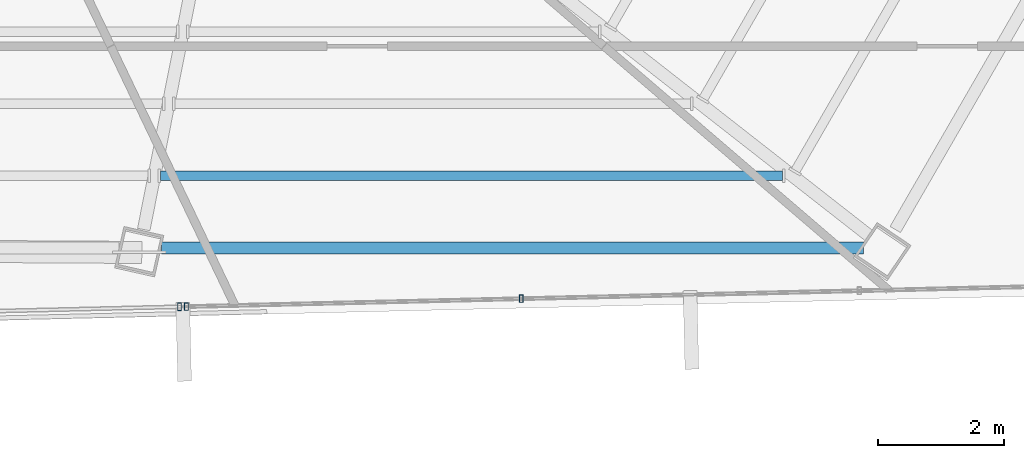
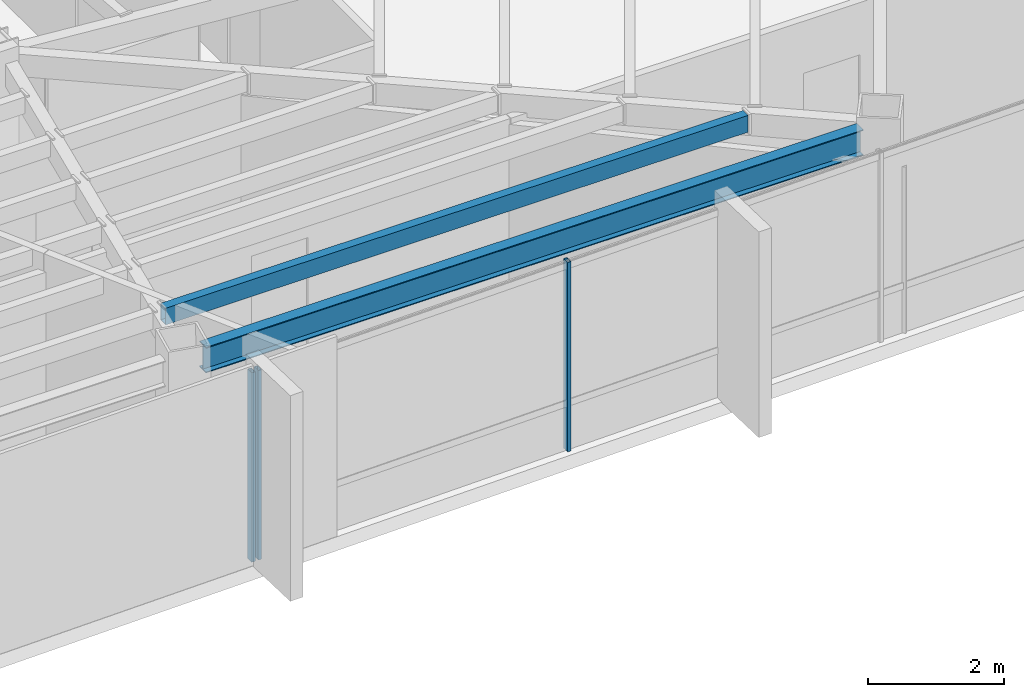
# One storey, part 19 of 47: 3 members, 2 beams, 2 elements without a shape of their own.
"""IFC4 building model written with IfcOpenShell, lengths in metres."""

from ifc_helpers import new_model, si_unit, direction, frame, origin, origin_2d, place, context, subcontext, project, spatial, hollow_rectangle, i_section, extrude, source, transform, mapped, material, material_profile, profile_set, type_object, type_shapes, element, aggregate, save


model = new_model("IFC4")

# Units and contexts
model_context = context("Model", 3, precision=1e-05, world=origin(), true_north=direction((0.0, 1.0)))
body_context = subcontext(model_context, "Body", "Model", "MODEL_VIEW")
ifc_project = project(units=[si_unit("LENGTHUNIT", "METRE"), si_unit("AREAUNIT", "SQUARE_METRE"), si_unit("VOLUMEUNIT", "CUBIC_METRE"), si_unit("PLANEANGLEUNIT", "RADIAN"), si_unit("MASSUNIT", "GRAM", prefix="KILO")], contexts=[model_context])

# Site, building, storey
site_placement = place(None, origin())
site = spatial("IfcSite", under=ifc_project, at=site_placement, CompositionType="ELEMENT")
building_placement = place(site_placement, origin())
building = spatial("IfcBuilding", under=site, at=building_placement, Name="Caelisora Broadcast Tower", CompositionType="ELEMENT")
storey_placement = place(building_placement, frame((0.0, 0.0, 255.39990234375)))
storey = spatial("IfcBuildingStorey", under=building, at=storey_placement, Name="L67", CompositionType="ELEMENT", Elevation=255.39990234375)

# Beams
ifc_material_1 = material(Name="Steel Grade 350 (AS/NZS 3679.1)", Category="steel")
ifc_material_profile_1 = material_profile(ifc_material_1, i_section(OverallWidth=0.19091796875, OverallDepth=0.46044921875, WebThickness=0.010009765625, FlangeThickness=0.01611328125, at=origin_2d()), Name="Steel Grade 350 (AS/NZS 3679.1)")
ifc_profile_set_1 = profile_set([ifc_material_profile_1], Name="Steel Grade 350 (AS/NZS 3679.1)")
beam_type_1 = type_object("IfcBeamType", Name="PG06", PredefinedType="BEAM", material=ifc_profile_set_1)
shared_shape_1 = source(origin(), body_context, "Body", "SweptSolid", [
    extrude(i_section(OverallWidth=0.19091796875, OverallDepth=0.46044921875, WebThickness=0.010009765625, FlangeThickness=0.01611328125, at=origin_2d()), origin(), (0.0, 0.0, 1.0), 11.1572265625),
])
type_shapes(beam_type_1, [shared_shape_1])
beam_1_placement = place(storey_placement, frame((44.25439453125, 9.384521484375, 3.169921875), z_axis=(1.0, 0.0, 0.0), x_axis=(0.0, 1.0, 0.0)))
element("IfcBeam", 1, at=beam_1_placement, inside=storey, type_object=beam_type_1, Name="L67 beam PG06", PredefinedType="BEAM", context=body_context, shape_type="MappedRepresentation", body=[
    mapped(shared_shape_1, transform((0.0, 0.0, 0.0), scale=1.0)),
])
ifc_material_2 = material(Name="Steel Grade 350 (AS/NZS 1163 C350L0)", Category="steel")
ifc_material_profile_2 = material_profile(ifc_material_2, hollow_rectangle(XDim=0.14990234375, YDim=0.300048828125, WallThickness=0.010009765625, at=origin_2d()), Name="Steel Grade 350 (AS/NZS 1163 C350L0)")
ifc_profile_set_2 = profile_set([ifc_material_profile_2], Name="Steel Grade 350 (AS/NZS 1163 C350L0)")
beam_type_2 = type_object("IfcBeamType", Name="SB05", PredefinedType="JOIST", material=ifc_profile_set_2)
shared_shape_2 = source(origin(), body_context, "Body", "SweptSolid", [
    extrude(hollow_rectangle(XDim=0.14990234375, YDim=0.300048828125, WallThickness=0.010009765625, at=origin_2d()), origin(), (0.0, 0.0, 1.0), 9.88427734375),
])
type_shapes(beam_type_2, [shared_shape_2])
beam_2_placement = place(storey_placement, frame((44.24169921875, 10.529541015625, 3.25), z_axis=(1.0, 0.0, 0.0), x_axis=(0.0, 1.0, 0.0)))
element("IfcBeam", 2, at=beam_2_placement, inside=storey, type_object=beam_type_2, Name="L67 beam SB05", PredefinedType="JOIST", context=body_context, shape_type="MappedRepresentation", body=[
    mapped(shared_shape_2, transform((0.0, 0.0, 0.0), scale=1.0)),
])

# Curtain wall, members
ifc_material_3 = material(Name="Unitised Aluminium and Low-E Glass Curtain Wall", Category="glass")
curtain_wall_type_1 = type_object("IfcCurtainWallType", Name="CW-Z5", PredefinedType="NOTDEFINED", material=ifc_material_3)
curtain_wall_1_placement = place(storey_placement, origin())
curtain_wall_1 = element("IfcCurtainWall", 3, at=curtain_wall_1_placement, inside=storey, type_object=curtain_wall_type_1, Name="L67 curtain wall CW-Z5", PredefinedType="NOTDEFINED")
ifc_material_4 = material(Name="Aluminium 6063-T6 Anodised Terracotta Bronze", Category="aluminium")
ifc_material_profile_3 = material_profile(ifc_material_4, hollow_rectangle(XDim=0.06005859375, YDim=0.1201171875, WallThickness=0.0029296875, at=origin_2d()), Name="Aluminium 6063-T6 Anodised Terracotta Bronze")
ifc_profile_set_3 = profile_set([ifc_material_profile_3], Name="Aluminium 6063-T6 Anodised Terracotta Bronze")
member_type = type_object("IfcMemberType", Name="CWM-04", PredefinedType="MULLION", material=ifc_profile_set_3)
shared_shape_3 = source(origin(), body_context, "Body", "SweptSolid", [
    extrude(hollow_rectangle(XDim=0.06005859375, YDim=0.1201171875, WallThickness=0.0029296875, at=origin_2d()), origin(), (0.0, 0.0, 1.0), 3.400146484375),
])
type_shapes(member_type, [shared_shape_3])
member_1_placement = place(storey_placement, frame((49.973876953125, 8.5771484375, 0.0), z_axis=(0.0, 0.0, 1.0), x_axis=(1.0, 0.0, 0.0)))
member_1 = element("IfcMember", 4, at=member_1_placement, type_object=member_type, Name="L67-CW-B05 mullion #2", PredefinedType="MULLION", context=body_context, shape_type="MappedRepresentation", body=[
    mapped(shared_shape_3, transform((0.0, 0.0, 0.0), scale=1.0)),
])
member_2_placement = place(storey_placement, frame((44.650634765625, 8.451416015625, 0.0), z_axis=(0.0, 0.0, 1.0), x_axis=(1.0, 0.0, 0.0)))
member_2 = element("IfcMember", 5, at=member_2_placement, type_object=member_type, Name="L67-CW-B05 mullion #3", PredefinedType="MULLION", context=body_context, shape_type="MappedRepresentation", body=[
    mapped(shared_shape_3, transform((0.0, 0.0, 0.0), scale=1.0)),
])
aggregate(curtain_wall_1, [member_1, member_2])

# Curtain wall, member
ifc_material_5 = material(Name="Unitised Aluminium Insulated Shadow-Box Spandrel Curtain Wall", Category="aluminium")
curtain_wall_type_2 = type_object("IfcCurtainWallType", Name="CW-SP3", PredefinedType="NOTDEFINED", material=ifc_material_5)
curtain_wall_2_placement = place(storey_placement, origin())
curtain_wall_2 = element("IfcCurtainWall", 6, at=curtain_wall_2_placement, inside=storey, type_object=curtain_wall_type_2, Name="L67 curtain wall CW-SP3", PredefinedType="NOTDEFINED")
member_3_placement = place(storey_placement, frame((44.540771484375, 8.44873046875, 0.0), z_axis=(0.0, 0.0, 1.0), x_axis=(1.0, 0.0, 0.0)))
member_3 = element("IfcMember", 7, at=member_3_placement, type_object=member_type, Name="L67-CW-B06 mullion #0", PredefinedType="MULLION", context=body_context, shape_type="MappedRepresentation", body=[
    mapped(shared_shape_3, transform((0.0, 0.0, 0.0), scale=1.0)),
])
aggregate(curtain_wall_2, [member_3])

save(model, "model.ifc")
